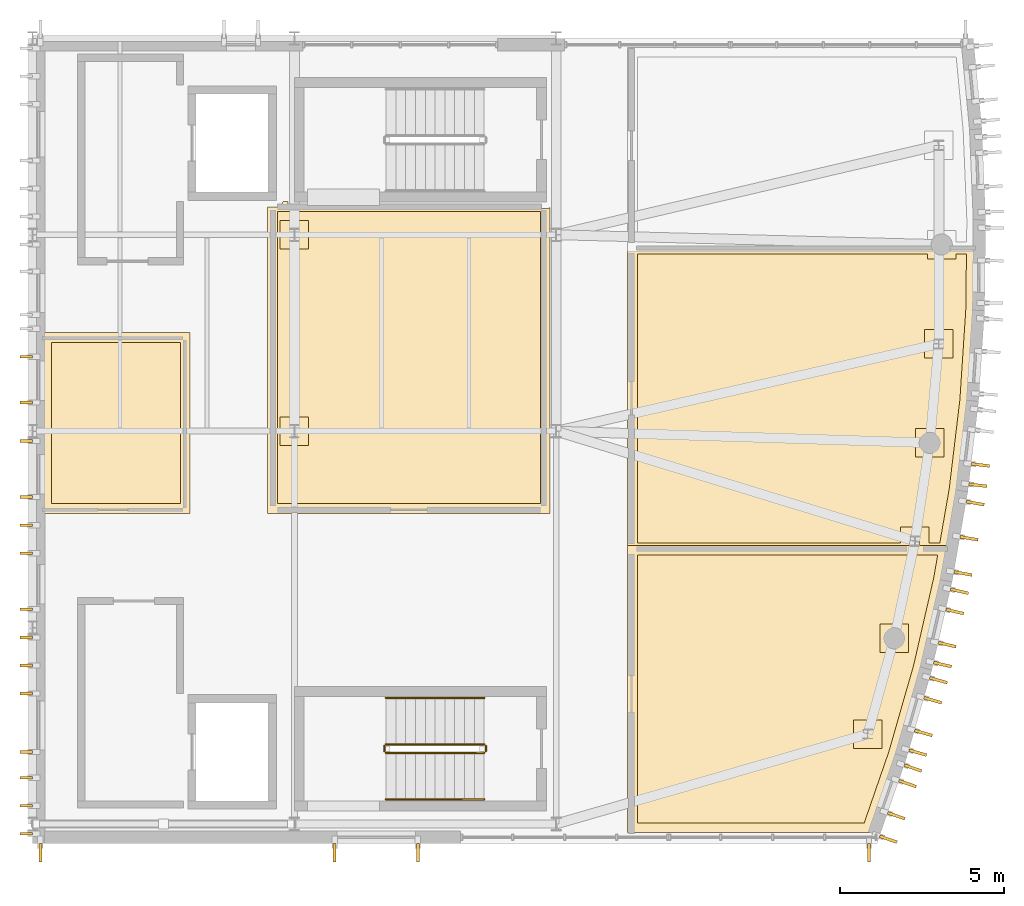
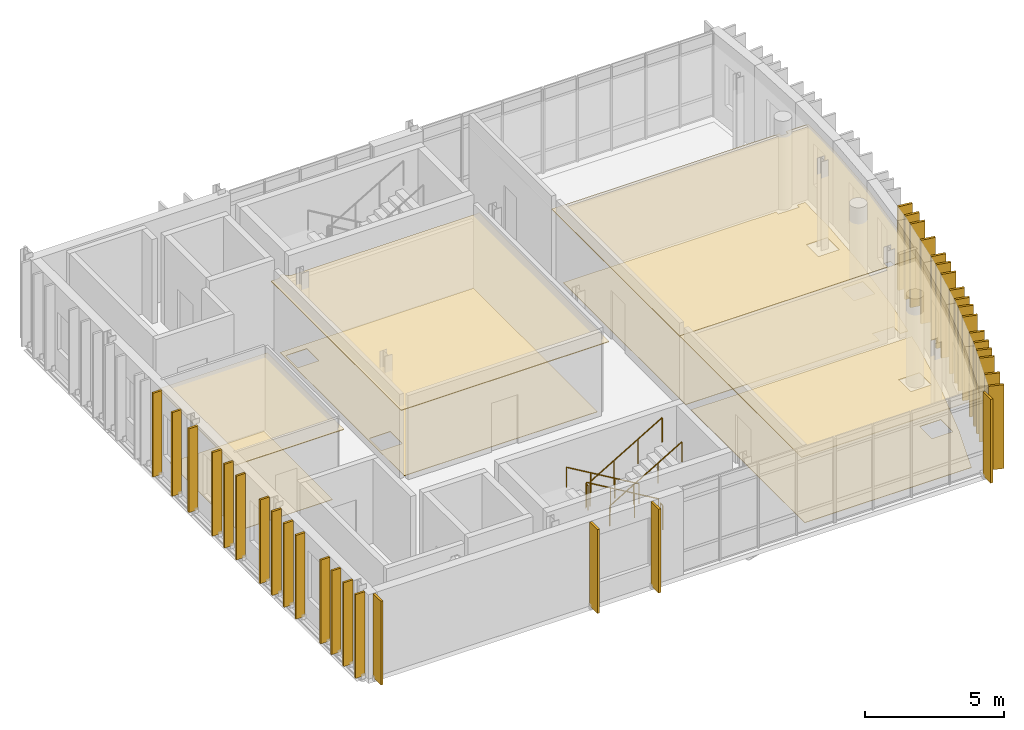
# One storey, part 9 of 10: 43 coverings, 6 railings.
"""IFC4 building model written with IfcOpenShell, lengths in metres."""

from ifc_helpers import new_model, si_unit, direction, frame, origin, origin_2d, place, context, subcontext, project, spatial, polyline, rectangle, circle, outline, extrude, material, layer, layer_set, type_object, element, save


model = new_model("IFC4")

# Units and contexts
model_context = context("Model", 3, precision=1e-05, world=origin(), true_north=direction((0.0, 1.0)))
body_context = subcontext(model_context, "Body", "Model", "MODEL_VIEW")
ifc_project = project(units=[si_unit("LENGTHUNIT", "METRE"), si_unit("AREAUNIT", "SQUARE_METRE"), si_unit("VOLUMEUNIT", "CUBIC_METRE"), si_unit("PLANEANGLEUNIT", "RADIAN"), si_unit("MASSUNIT", "GRAM", prefix="KILO")], contexts=[model_context])

# Site, building, storey
site_placement = place(None, origin())
site = spatial("IfcSite", under=ifc_project, at=site_placement, CompositionType="ELEMENT")
building_placement = place(site_placement, origin())
building = spatial("IfcBuilding", under=site, at=building_placement, Name="Cymarion Research Institute", CompositionType="ELEMENT")
storey_placement = place(building_placement, frame((0.0, 0.0, 38.39990234375)))
storey = spatial("IfcBuildingStorey", under=building, at=storey_placement, Name="L09", CompositionType="ELEMENT", Elevation=38.39990234375)

# Coverings
ifc_material_1 = material(Name="Micro-perforated mineral acoustic ceiling tile", Category="gypsum")
ifc_layer_1 = layer(ifc_material_1, 0.030029296875)
ifc_layer_set_1 = layer_set([ifc_layer_1], Name="Micro-perforated mineral acoustic ceiling tile")
covering_type_1 = type_object("IfcCoveringType", Name="ACOUSTIC MICRO-PERFORATED SUSPENDED CEILING CLG-01", PredefinedType="CEILING", material=ifc_layer_set_1)
covering_1_placement = place(storey_placement, frame((0.0, 0.0, 3.150146484375)))
element("IfcCovering", 1, at=covering_1_placement, inside=storey, type_object=covering_type_1, Name="L09 L09 Computational Biology Write-Up Studio acoustic ceiling", PredefinedType="CEILING", context=body_context, shape_type="SweptSolid", body=[
    extrude(outline(polyline([(143.4150390625, 20.514892578125), (143.4150390625, 14.985107421875), (138.885009765625, 14.985107421875), (138.885009765625, 20.514892578125), (143.4150390625, 20.514892578125)])), origin(), (0.0, 0.0, 1.0), 0.030029296875),
])
covering_2_placement = place(storey_placement, frame((0.0, 0.0, 3.150146484375)))
element("IfcCovering", 2, at=covering_2_placement, inside=storey, type_object=covering_type_1, Name="L09 L09 High-Throughput Screening & Cell Culture Lab acoustic ceiling", PredefinedType="CEILING", context=body_context, shape_type="SweptSolid", body=[
    extrude(outline(polyline([(146.39990234375, 24.514892578125), (146.39990234375, 24.5), (146.40087890625, 24.48046875), (146.40380859375, 24.4609375), (146.40869140625, 24.44189453125), (146.415283203125, 24.423583984375), (146.423583984375, 24.40576171875), (146.43359375, 24.388916015625), (146.4453125, 24.373046875), (146.45849609375, 24.358642578125), (146.47314453125, 24.345458984375), (146.489013671875, 24.333740234375), (146.505615234375, 24.323486328125), (146.5234375, 24.315185546875), (146.5419921875, 24.30859375), (146.56103515625, 24.3037109375), (146.580322265625, 24.301025390625), (146.60009765625, 24.300048828125), (154.300048828125, 24.300048828125), (154.319580078125, 24.301025390625), (154.339111328125, 24.3037109375), (154.358154296875, 24.30859375), (154.37646484375, 24.315185546875), (154.394287109375, 24.323486328125), (154.4111328125, 24.333740234375), (154.4150390625, 24.336669921875), (154.4150390625, 14.985107421875), (145.784912109375, 14.985107421875), (145.784912109375, 24.35009765625), (146.050048828125, 24.35009765625), (146.069580078125, 24.35107421875), (146.089111328125, 24.353759765625), (146.108154296875, 24.358642578125), (146.12646484375, 24.365234375), (146.144287109375, 24.37353515625), (146.1611328125, 24.3837890625), (146.177001953125, 24.3955078125), (146.19140625, 24.40869140625), (146.20458984375, 24.423095703125), (146.21630859375, 24.43896484375), (146.226318359375, 24.455810546875), (146.23486328125, 24.473388671875), (146.241455078125, 24.491943359375), (146.24609375, 24.510986328125), (146.246826171875, 24.514892578125), (146.39990234375, 24.514892578125)])), origin(), (0.0, 0.0, 1.0), 0.030029296875),
])
covering_3_placement = place(storey_placement, frame((0.0, 0.0, 3.150146484375)))
element("IfcCovering", 3, at=covering_3_placement, inside=storey, type_object=covering_type_1, Name="L09 L09 Tower Wet Biochemistry & Proteomics Laboratory acoustic ceiling", PredefinedType="CEILING", context=body_context, shape_type="SweptSolid", body=[
    extrude(outline(polyline([(166.611572265625, 14.014892578125), (166.427734375, 12.961181640625), (165.808349609375, 10.266845703125), (165.0458984375, 7.609619140625), (164.224853515625, 5.235107421875), (156.784912109375, 5.235107421875), (156.784912109375, 14.014892578125), (166.611572265625, 14.014892578125)])), origin(), (0.0, 0.0, 1.0), 0.030029296875),
])
covering_4_placement = place(storey_placement, frame((0.0, 0.0, 3.150146484375)))
element("IfcCovering", 4, at=covering_4_placement, inside=storey, type_object=covering_type_1, Name="L09 L09 Confocal Microscopy & Genomics Laboratory acoustic ceiling", PredefinedType="CEILING", context=body_context, shape_type="SweptSolid", body=[
    extrude(outline(polyline([(166.241455078125, 23.215087890625), (166.241455078125, 23.06494140625), (166.511474609375, 23.06494140625), (166.511474609375, 23.215087890625), (167.43701171875, 23.215087890625), (167.412109375, 21.18798828125), (167.23095703125, 18.429443359375), (166.902587890625, 15.6845703125), (166.5712890625, 13.784912109375), (165.69482421875, 13.784912109375), (165.69482421875, 14.276611328125), (165.4248046875, 14.276611328125), (165.4248046875, 13.784912109375), (156.784912109375, 13.784912109375), (156.784912109375, 23.215087890625), (166.241455078125, 23.215087890625)])), origin(), (0.0, 0.0, 1.0), 0.030029296875),
])
ifc_material_2 = material(Name="Precast concrete C45/55 architectural white", Category="concrete")
ifc_layer_2 = layer(ifc_material_2, 0.090087890625)
ifc_layer_set_2 = layer_set([ifc_layer_2], Name="Precast concrete C45/55 architectural white")
covering_type_2 = type_object("IfcCoveringType", Name="ARCHITECTURAL WHITE PRECAST CONCRETE VERTICAL FIN FIN1 560MM", PredefinedType="CLADDING", material=ifc_layer_set_2)
for number, where, z_axis, x_axis, name in (
    (5, (138.840087890625, 4.617919921875, 0.01025390625), (0.0, 0.0, 1.0), (0.0, -1.0, 0.0), "L09 V1 white precast vertical fin FIN1 #797"),
    (6, (147.8310546875, 4.617919921875, 0.01025390625), (0.0, 0.0, 1.0), (0.0, -1.0, 0.0), "L09 V1 white precast vertical fin FIN1 #798"),
    (7, (150.37109375, 4.617919921875, 0.01025390625), (0.0, 0.0, 1.0), (0.0, -1.0, 0.0), "L09 V1 white precast vertical fin FIN1 #799"),
    (8, (164.159912109375, 4.617919921875, 0.01025390625), (0.0, 0.0, 1.0), (0.0, -1.0, 0.0), "L09 V1 white precast vertical fin FIN1 #800"),
    (9, (164.744873046875, 5.03466796875, 0.01025390625), (0.0, 0.0, 1.0), (0.945120113509, -0.326723080054, 0.0), "L09 V1 white precast vertical fin FIN1 #801"),
    (10, (164.991943359375, 5.748779296875, 0.01025390625), (0.0, 0.0, 1.0), (0.945120113509, -0.326723080054, 0.0), "L09 V1 white precast vertical fin FIN1 #802"),
    (11, (165.331787109375, 6.731689453125, 0.01025390625), (0.0, 0.0, 1.0), (0.945120113509, -0.326723080054, 0.0), "L09 V1 white precast vertical fin FIN1 #803"),
    (12, (165.496337890625, 7.20751953125, 0.01025390625), (0.0, 0.0, 1.0), (0.945120113509, -0.326723080054, 0.0), "L09 V1 white precast vertical fin FIN1 #804"),
    (13, (165.6455078125, 7.679443359375, 0.01025390625), (0.0, 0.0, 1.0), (0.961213573504, -0.275805123434, 0.0), "L09 V1 white precast vertical fin FIN1 #805"),
    (14, (165.817626953125, 8.279296875, 0.01025390625), (0.0, 0.0, 1.0), (0.961213573504, -0.275805123434, 0.0), "L09 V1 white precast vertical fin FIN1 #806"),
    (15, (166.1044921875, 9.279052734375, 0.01025390625), (0.0, 0.0, 1.0), (0.961213573504, -0.275805123434, 0.0), "L09 V1 white precast vertical fin FIN1 #807"),
    (16, (166.27978515625, 9.8896484375, 0.01025390625), (0.0, 0.0, 1.0), (0.961213573504, -0.275805123434, 0.0), "L09 V1 white precast vertical fin FIN1 #808"),
    (17, (166.4033203125, 10.368896484375, 0.01025390625), (0.0, 0.0, 1.0), (0.974566000575, -0.224100670509, 0.0), "L09 V1 white precast vertical fin FIN1 #809"),
    (18, (166.543212890625, 10.976806640625, 0.01025390625), (0.0, 0.0, 1.0), (0.974566000575, -0.224100670509, 0.0), "L09 V1 white precast vertical fin FIN1 #810"),
    (19, (166.776123046875, 11.990478515625, 0.01025390625), (0.0, 0.0, 1.0), (0.974566000575, -0.224100670509, 0.0), "L09 V1 white precast vertical fin FIN1 #811"),
    (20, (166.918701171875, 12.609619140625, 0.01025390625), (0.0, 0.0, 1.0), (0.974566000575, -0.224100670509, 0.0), "L09 V1 white precast vertical fin FIN1 #812"),
    (21, (167.02685546875, 13.15380859375, 0.01025390625), (0.0, 0.0, 1.0), (0.985139318439, -0.171757163649, 0.0), "L09 V1 white precast vertical fin FIN1 #813"),
    (22, (167.2138671875, 14.22705078125, 0.01025390625), (0.0, 0.0, 1.0), (0.985139318439, -0.171757163649, 0.0), "L09 V1 white precast vertical fin FIN1 #814"),
    (23, (167.40087890625, 15.30078125, 0.01025390625), (0.0, 0.0, 1.0), (0.985139318439, -0.171757163649, 0.0), "L09 V1 white precast vertical fin FIN1 #815"),
    (24, (167.483154296875, 15.849365234375, 0.01025390625), (0.0, 0.0, 1.0), (0.992924116831, -0.118750571435, 0.0), "L09 V1 white precast vertical fin FIN1 #816"),
    (25, (167.557373046875, 16.468994140625, 0.01025390625), (0.0, 0.0, 1.0), (0.992924116831, -0.118750571435, 0.0), "L09 V1 white precast vertical fin FIN1 #817"),
):
    element("IfcCovering", number, at=place(storey_placement, frame(where, z_axis=z_axis, x_axis=x_axis)), inside=storey, type_object=covering_type_2, Name=name, PredefinedType="CLADDING", context=body_context, shape_type="SweptSolid", body=[
        extrude(rectangle(XDim=0.56005859375, YDim=0.090087890625, at=origin_2d()), origin(), (0.0, 0.0, 1.0), 3.679931640625),
    ])
ifc_layer_3 = layer(ifc_material_2, 0.0849609375)
ifc_layer_set_3 = layer_set([ifc_layer_3], Name="Precast concrete C45/55 architectural white")
covering_type_3 = type_object("IfcCoveringType", Name="ARCHITECTURAL WHITE PRECAST CONCRETE VERTICAL FIN FIN3 380MM", PredefinedType="CLADDING", material=ifc_layer_set_3)
for number, where, z_axis, x_axis, name in (
    (26, (138.407958984375, 19.771484375, 0.01025390625), (0.0, 0.0, 1.0), (-1.0, 0.0, 0.0), "L09 V1 white precast vertical fin FIN3 #848"),
    (27, (138.407958984375, 18.3798828125, 0.01025390625), (0.0, 0.0, 1.0), (-1.0, 0.0, 0.0), "L09 V1 white precast vertical fin FIN3 #849"),
    (28, (138.407958984375, 17.199951171875, 0.01025390625), (0.0, 0.0, 1.0), (-1.0, 0.0, 0.0), "L09 V1 white precast vertical fin FIN3 #850"),
    (29, (138.407958984375, 15.485595703125, 0.01025390625), (0.0, 0.0, 1.0), (-1.0, 0.0, 0.0), "L09 V1 white precast vertical fin FIN3 #851"),
    (30, (138.407958984375, 14.628662109375, 0.01025390625), (0.0, 0.0, 1.0), (-1.0, 0.0, 0.0), "L09 V1 white precast vertical fin FIN3 #852"),
    (31, (138.407958984375, 13.771484375, 0.01025390625), (0.0, 0.0, 1.0), (-1.0, 0.0, 0.0), "L09 V1 white precast vertical fin FIN3 #853"),
    (32, (138.407958984375, 12.05712890625, 0.01025390625), (0.0, 0.0, 1.0), (-1.0, 0.0, 0.0), "L09 V1 white precast vertical fin FIN3 #854"),
    (33, (138.407958984375, 11.199951171875, 0.01025390625), (0.0, 0.0, 1.0), (-1.0, 0.0, 0.0), "L09 V1 white precast vertical fin FIN3 #855"),
    (34, (138.407958984375, 10.343017578125, 0.01025390625), (0.0, 0.0, 1.0), (-1.0, 0.0, 0.0), "L09 V1 white precast vertical fin FIN3 #856"),
    (35, (138.407958984375, 9.485595703125, 0.01025390625), (0.0, 0.0, 1.0), (-1.0, 0.0, 0.0), "L09 V1 white precast vertical fin FIN3 #857"),
    (36, (138.407958984375, 7.699951171875, 0.01025390625), (0.0, 0.0, 1.0), (-1.0, 0.0, 0.0), "L09 V1 white precast vertical fin FIN3 #858"),
    (37, (138.407958984375, 6.914306640625, 0.01025390625), (0.0, 0.0, 1.0), (-1.0, 0.0, 0.0), "L09 V1 white precast vertical fin FIN3 #859"),
    (38, (138.407958984375, 6.05712890625, 0.01025390625), (0.0, 0.0, 1.0), (-1.0, 0.0, 0.0), "L09 V1 white precast vertical fin FIN3 #860"),
    (39, (138.407958984375, 5.199951171875, 0.01025390625), (0.0, 0.0, 1.0), (-1.0, 0.0, 0.0), "L09 V1 white precast vertical fin FIN3 #861"),
):
    element("IfcCovering", number, at=place(storey_placement, frame(where, z_axis=z_axis, x_axis=x_axis)), inside=storey, type_object=covering_type_3, Name=name, PredefinedType="CLADDING", context=body_context, shape_type="SweptSolid", body=[
        extrude(rectangle(XDim=0.3798828125, YDim=0.0849609375, at=origin_2d()), origin(), (0.0, 0.0, 1.0), 3.679931640625),
    ])

# Railings
ifc_material_3 = material(Name="Steel S355", Category="steel")
railing_type_1 = type_object("IfcRailingType", Name="PAINTED STEEL STAIR GUARDRAIL GR1 1100MM", PredefinedType="GUARDRAIL", material=ifc_material_3)
railing_1_placement = place(storey_placement, frame((152.39990234375, 7.929931640625, 0.177490234375)))
element("IfcRailing", 40, at=railing_1_placement, inside=storey, type_object=railing_type_1, Name="L09 ST1 stair guard 1", PredefinedType="GUARDRAIL", context=body_context, shape_type="SweptSolid", body=[
    extrude(circle(Radius=0.02392578125, at=origin_2d()), frame((0.0, 0.0, 1.076171875), z_axis=(-0.86092931783, 0.0, 0.508724591208), x_axis=(0.0, -1.0, 0.0)), (0.0, 0.0, 1.0), 3.484619140625),
    extrude(circle(Radius=0.02099609375, at=origin_2d()), origin(), (0.0, 0.0, 1.0), 1.052001953125),
    extrude(circle(Radius=0.02099609375, at=origin_2d()), frame((-1.0, 0.0, 0.5908203125)), (0.0, 0.0, 1.0), 1.052001953125),
    extrude(circle(Radius=0.02099609375, at=origin_2d()), frame((-2.0, 0.0, 1.181884765625)), (0.0, 0.0, 1.0), 1.052001953125),
    extrude(circle(Radius=0.02099609375, at=origin_2d()), frame((-3.0, 0.0, 1.772705078125)), (0.0, 0.0, 1.0), 1.052001953125),
])
railing_2_placement = place(storey_placement, frame((149.35009765625, 7.8798828125, 1.9501953125)))
element("IfcRailing", 41, at=railing_2_placement, inside=storey, type_object=railing_type_1, Name="L09 ST1 stair guard 2", PredefinedType="GUARDRAIL", context=body_context, shape_type="SweptSolid", body=[
    extrude(circle(Radius=0.02392578125, at=origin_2d()), frame((0.0, 0.0, 1.076171875), z_axis=(0.0, -1.0, 0.0), x_axis=(1.0, 0.0, 0.0)), (0.0, 0.0, 1.0), 0.159912109375),
    extrude(circle(Radius=0.02099609375, at=origin_2d()), origin(), (0.0, 0.0, 1.0), 1.052001953125),
    extrude(circle(Radius=0.02099609375, at=origin_2d()), frame((0.0, -0.159912109375, 0.0)), (0.0, 0.0, 1.0), 1.052001953125),
])
railing_3_placement = place(storey_placement, frame((149.39990234375, 7.669921875, 2.12744140625)))
element("IfcRailing", 42, at=railing_3_placement, inside=storey, type_object=railing_type_1, Name="L09 ST1 stair guard 3", PredefinedType="GUARDRAIL", context=body_context, shape_type="SweptSolid", body=[
    extrude(circle(Radius=0.02392578125, at=origin_2d()), frame((0.0, 0.0, 1.076171875), z_axis=(0.86092931783, 0.0, 0.508724591208), x_axis=(0.0, 1.0, 0.0)), (0.0, 0.0, 1.0), 3.484619140625),
    extrude(circle(Radius=0.02099609375, at=origin_2d()), origin(), (0.0, 0.0, 1.0), 1.052001953125),
    extrude(circle(Radius=0.02099609375, at=origin_2d()), frame((1.0, 0.0, 0.5908203125)), (0.0, 0.0, 1.0), 1.052001953125),
    extrude(circle(Radius=0.02099609375, at=origin_2d()), frame((2.0, 0.0, 1.181884765625)), (0.0, 0.0, 1.0), 1.052001953125),
    extrude(circle(Radius=0.02099609375, at=origin_2d()), frame((3.0, 0.0, 1.772705078125)), (0.0, 0.0, 1.0), 1.052001953125),
])
railing_4_placement = place(storey_placement, frame((152.449951171875, 7.8798828125, 0.0)))
element("IfcRailing", 43, at=railing_4_placement, inside=storey, type_object=railing_type_1, Name="L09 ST1 stair guard 4", PredefinedType="GUARDRAIL", context=body_context, shape_type="SweptSolid", body=[
    extrude(circle(Radius=0.02392578125, at=origin_2d()), frame((0.0, 0.0, 1.076171875), z_axis=(0.0, -1.0, 0.0), x_axis=(1.0, 0.0, 0.0)), (0.0, 0.0, 1.0), 0.159912109375),
    extrude(circle(Radius=0.02099609375, at=origin_2d()), origin(), (0.0, 0.0, 1.0), 1.052001953125),
    extrude(circle(Radius=0.02099609375, at=origin_2d()), frame((0.0, -0.159912109375, 0.0)), (0.0, 0.0, 1.0), 1.052001953125),
])

# Coverings
ifc_material_4 = material(Name="Seamless dissipative epoxy resin flooring", Category="resin")
ifc_layer_4 = layer(ifc_material_4, 0.02001953125)
ifc_layer_set_4 = layer_set([ifc_layer_4], Name="Seamless dissipative epoxy resin flooring")
covering_type_4 = type_object("IfcCoveringType", Name="SEAMLESS ESD EPOXY LABORATORY FLOORING FLR-01", PredefinedType="FLOORING", material=ifc_layer_set_4)
covering_5_placement = place(storey_placement, origin())
element("IfcCovering", 44, at=covering_5_placement, inside=storey, type_object=covering_type_4, Name="L09 L09 Computational Biology Write-Up Studio ESD epoxy flooring", PredefinedType="FLOORING", context=body_context, shape_type="SweptSolid", body=[
    extrude(outline(polyline([(139.18505859375, 20.215087890625), (143.114990234375, 20.215087890625), (143.114990234375, 15.284912109375), (139.18505859375, 15.284912109375), (139.18505859375, 20.215087890625)])), origin(), (0.0, 0.0, 1.0), 0.02001953125),
])
covering_6_placement = place(storey_placement, origin())
element("IfcCovering", 45, at=covering_6_placement, inside=storey, type_object=covering_type_4, Name="L09 L09 High-Throughput Screening & Cell Culture Lab ESD epoxy flooring", PredefinedType="FLOORING", context=body_context, shape_type="SweptSolid", body=[
    extrude(outline(polyline([(146.0849609375, 24.215087890625), (154.114990234375, 24.215087890625), (154.114990234375, 15.284912109375), (146.0849609375, 15.284912109375), (146.0849609375, 24.215087890625)]), holes=[polyline([(147.034912109375, 17.06494140625), (147.034912109375, 17.93505859375), (146.1650390625, 17.93505859375), (146.1650390625, 17.06494140625), (147.034912109375, 17.06494140625)]), polyline([(147.034912109375, 23.06494140625), (147.034912109375, 23.93505859375), (146.1650390625, 23.93505859375), (146.1650390625, 23.06494140625), (147.034912109375, 23.06494140625)])]), origin(), (0.0, 0.0, 1.0), 0.02001953125),
])
covering_7_placement = place(storey_placement, origin())
element("IfcCovering", 46, at=covering_7_placement, inside=storey, type_object=covering_type_4, Name="L09 L09 Tower Wet Biochemistry & Proteomics Laboratory ESD epoxy flooring", PredefinedType="FLOORING", context=body_context, shape_type="SweptSolid", body=[
    extrude(outline(polyline([(157.0849609375, 13.715087890625), (166.254638671875, 13.715087890625), (166.1337890625, 13.0205078125), (165.517822265625, 10.341796875), (164.759765625, 7.699951171875), (164.01123046875, 5.534912109375), (157.0849609375, 5.534912109375), (157.0849609375, 13.715087890625)]), holes=[polyline([(165.36279296875, 10.73779296875), (165.36279296875, 11.607666015625), (164.492919921875, 11.607666015625), (164.492919921875, 10.73779296875), (165.36279296875, 10.73779296875)]), polyline([(164.553955078125, 7.81201171875), (164.553955078125, 8.681884765625), (163.68408203125, 8.681884765625), (163.68408203125, 7.81201171875), (164.553955078125, 7.81201171875)])]), origin(), (0.0, 0.0, 1.0), 0.02001953125),
])
covering_8_placement = place(storey_placement, origin())
element("IfcCovering", 47, at=covering_8_placement, inside=storey, type_object=covering_type_4, Name="L09 L09 Confocal Microscopy & Genomics Laboratory ESD epoxy flooring", PredefinedType="FLOORING", context=body_context, shape_type="SweptSolid", body=[
    extrude(outline(polyline([(157.0849609375, 22.9150390625), (165.94140625, 22.9150390625), (165.94140625, 22.764892578125), (166.8115234375, 22.764892578125), (166.8115234375, 22.9150390625), (167.13330078125, 22.9150390625), (167.1123046875, 21.19970703125), (166.93212890625, 18.45703125), (166.605712890625, 15.728271484375), (166.319091796875, 14.0849609375), (165.994873046875, 14.0849609375), (165.994873046875, 14.576416015625), (165.125, 14.576416015625), (165.125, 14.0849609375), (157.0849609375, 14.0849609375), (157.0849609375, 22.9150390625)]), holes=[polyline([(166.720458984375, 19.73095703125), (166.720458984375, 20.60107421875), (165.8505859375, 20.60107421875), (165.8505859375, 19.73095703125), (166.720458984375, 19.73095703125)]), polyline([(166.447998046875, 16.707763671875), (166.447998046875, 17.577880859375), (165.577880859375, 17.577880859375), (165.577880859375, 16.707763671875), (166.447998046875, 16.707763671875)])]), origin(), (0.0, 0.0, 1.0), 0.02001953125),
])

# Railings
railing_type_2 = type_object("IfcRailingType", Name="STAINLESS STEEL STAIR HANDRAIL HR1 900MM", PredefinedType="HANDRAIL", material=ifc_material_3)
railing_5_placement = place(storey_placement, frame((152.39990234375, 9.35009765625, 0.177490234375)))
element("IfcRailing", 48, at=railing_5_placement, inside=storey, type_object=railing_type_2, Name="L09 ST1 stair handrail 1", PredefinedType="HANDRAIL", context=body_context, shape_type="SweptSolid", body=[
    extrude(circle(Radius=0.02392578125, at=origin_2d()), frame((0.0, 0.0, 0.8759765625), z_axis=(-0.86092931783, 0.0, 0.508724591208), x_axis=(0.0, -1.0, 0.0)), (0.0, 0.0, 1.0), 3.484619140625),
    extrude(circle(Radius=0.02099609375, at=origin_2d()), origin(), (0.0, 0.0, 1.0), 0.851806640625),
    extrude(circle(Radius=0.02099609375, at=origin_2d()), frame((-1.0, 0.0, 0.5908203125)), (0.0, 0.0, 1.0), 0.851806640625),
    extrude(circle(Radius=0.02099609375, at=origin_2d()), frame((-2.0, 0.0, 1.181884765625)), (0.0, 0.0, 1.0), 0.851806640625),
    extrude(circle(Radius=0.02099609375, at=origin_2d()), frame((-3.0, 0.0, 1.772705078125)), (0.0, 0.0, 1.0), 0.851806640625),
])
railing_6_placement = place(storey_placement, frame((149.39990234375, 6.25, 2.12744140625)))
element("IfcRailing", 49, at=railing_6_placement, inside=storey, type_object=railing_type_2, Name="L09 ST1 stair handrail 2", PredefinedType="HANDRAIL", context=body_context, shape_type="SweptSolid", body=[
    extrude(circle(Radius=0.02392578125, at=origin_2d()), frame((0.0, 0.0, 0.8759765625), z_axis=(0.86092931783, 0.0, 0.508724591208), x_axis=(0.0, 1.0, 0.0)), (0.0, 0.0, 1.0), 3.484619140625),
    extrude(circle(Radius=0.02099609375, at=origin_2d()), origin(), (0.0, 0.0, 1.0), 0.851806640625),
    extrude(circle(Radius=0.02099609375, at=origin_2d()), frame((1.0, 0.0, 0.5908203125)), (0.0, 0.0, 1.0), 0.851806640625),
    extrude(circle(Radius=0.02099609375, at=origin_2d()), frame((2.0, 0.0, 1.181884765625)), (0.0, 0.0, 1.0), 0.851806640625),
    extrude(circle(Radius=0.02099609375, at=origin_2d()), frame((3.0, 0.0, 1.772705078125)), (0.0, 0.0, 1.0), 0.851806640625),
])

save(model, "model.ifc")
